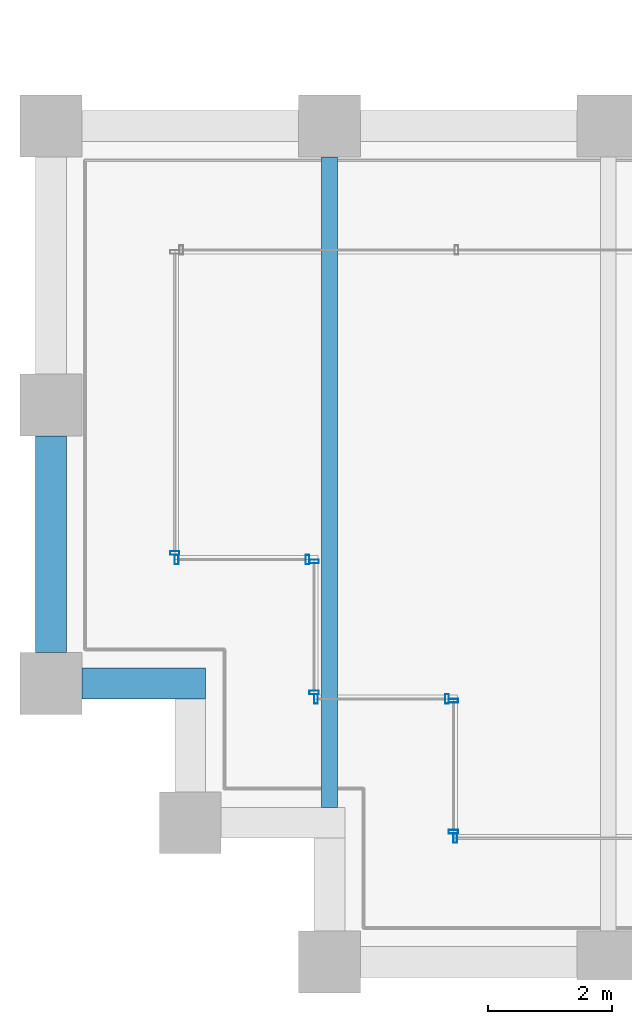
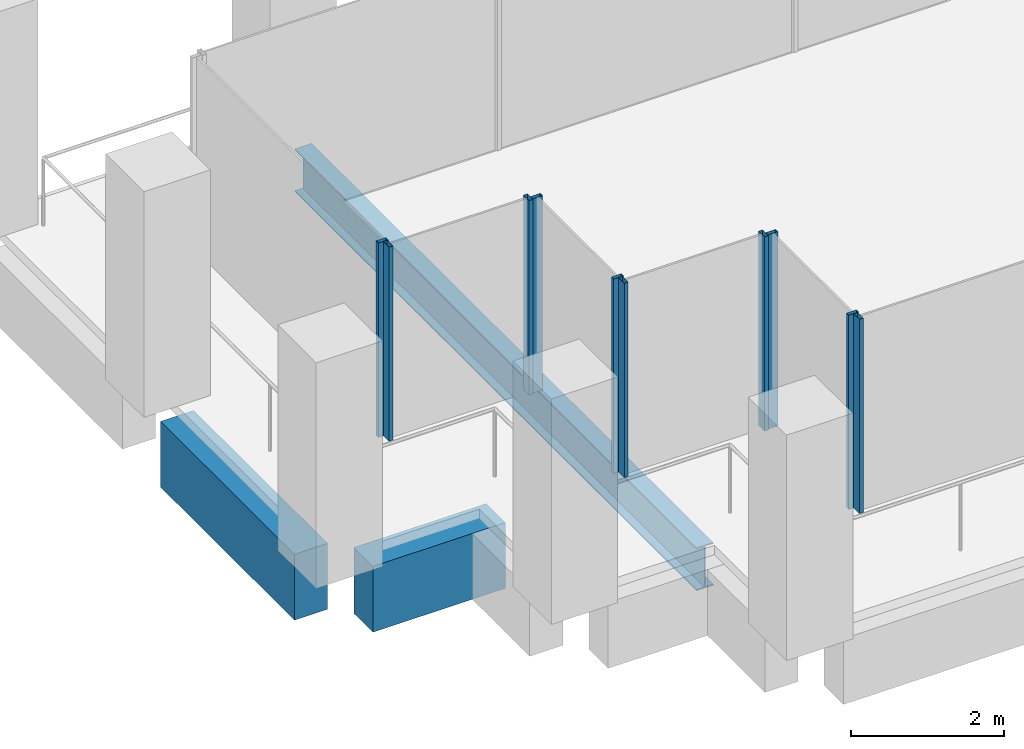
# One storey, part 2 of 46: 10 members, 3 beams, 6 elements without a shape of their own.
"""IFC4 building model written with IfcOpenShell, lengths in metres."""

import ifcopenshell
import ifcopenshell.guid

model = None  # the IFC model being written
_history = None  # IfcOwnerHistory: only IFC2X3 demands one
_inside = {}  # id of a spatial element -> (the spatial element, [elements in it])
_under = {}  # id of a project, library or spatial element -> (it, [spatial elements below it])
_declared = {}  # id of a project -> (the project, [libraries it declares])
_typed = {}  # id of a type object -> (the type object, [elements of that type])
_made_of = {}  # id of a material, layer set ... -> (it, [elements and type objects made of it])


def new_model(schema):
    """Start an empty IFC model of exactly this schema.

    Asked for "IFC4X3", IfcOpenShell would pick the latest addendum, in which some entities
    have other attributes; the version numbers below select the first issue.
    IFC2X3 requires an IfcOwnerHistory on every rooted entity: one is made here for all.
    """
    global model, _history
    if schema == "IFC4X3":
        model = ifcopenshell.file(schema_version=(4, 3, 0, 0))
    else:
        model = ifcopenshell.file(schema=schema)
    _inside.clear()
    _under.clear()
    _declared.clear()
    _typed.clear()
    _made_of.clear()
    _history = None
    if model.schema == "IFC2X3":
        org = make("IfcOrganization", Name="unknown")
        user = make(
            "IfcPersonAndOrganization",
            ThePerson=make("IfcPerson", FamilyName="unknown"),
            TheOrganization=org,
        )
        app = make(
            "IfcApplication",
            ApplicationDeveloper=org,
            Version="unknown",
            ApplicationFullName="unknown",
            ApplicationIdentifier="unknown",
        )
        _history = make(
            "IfcOwnerHistory",
            OwningUser=user,
            OwningApplication=app,
            ChangeAction="ADDED",
            CreationDate=0,
        )
    return model


def make(cls, **values):
    """One entity of the class cls with the attributes given. An attribute that is None is left unset."""
    return model.create_entity(
        cls, **{name: value for name, value in values.items() if value is not None}
    )


def rooted(cls, **values):
    """An entity with a GlobalId (a new one), such as an element, a storey or a relation."""
    return make(cls, GlobalId=ifcopenshell.guid.new(), OwnerHistory=_history, **values)


def si_unit(unit_type, name, prefix=None):
    """IfcSIUnit, for example si_unit("LENGTHUNIT", "METRE", prefix="MILLI")."""
    return make("IfcSIUnit", UnitType=unit_type, Prefix=prefix, Name=name)


def assignment(units):
    """IfcUnitAssignment: the units of a project."""
    return None if units is None else make("IfcUnitAssignment", Units=units)


def point(xyz):
    """IfcCartesianPoint."""
    return None if xyz is None else make("IfcCartesianPoint", Coordinates=xyz)


def direction(xyz):
    """IfcDirection."""
    return None if xyz is None else make("IfcDirection", DirectionRatios=xyz)


def frame(location, z_axis=None, x_axis=None):
    """IfcAxis2Placement3D, a coordinate frame: its origin and axes. An axis left out is left unset."""
    return make(
        "IfcAxis2Placement3D",
        Location=point(location),
        Axis=direction(z_axis),
        RefDirection=direction(x_axis),
    )


def frame_2d(location, x_axis=None):
    """IfcAxis2Placement2D, a coordinate frame in the plane: its origin and x axis."""
    return make(
        "IfcAxis2Placement2D", Location=point(location), RefDirection=direction(x_axis)
    )


def origin():
    """The frame at (0, 0, 0) with its axes left unset."""
    return frame((0.0, 0.0, 0.0))


def origin_2d():
    """The frame at (0, 0) in the plane with its x axis left unset."""
    return frame_2d((0.0, 0.0))


def place(relative_to, where):
    """IfcLocalPlacement: puts the frame where relative to a parent placement (None: the world)."""
    return make(
        "IfcLocalPlacement", PlacementRelTo=relative_to, RelativePlacement=where
    )


def context(
    kind, dimensions, precision=None, world=None, true_north=None, identifier=None
):
    """IfcGeometricRepresentationContext, for example the 3D "Model" context."""
    return make(
        "IfcGeometricRepresentationContext",
        ContextIdentifier=identifier,
        ContextType=kind,
        CoordinateSpaceDimension=dimensions,
        Precision=precision,
        WorldCoordinateSystem=world,
        TrueNorth=true_north,
    )


def subcontext(parent, identifier, kind, view, scale=None):
    """IfcGeometricRepresentationSubContext, for example "Body" below "Model"."""
    return make(
        "IfcGeometricRepresentationSubContext",
        ContextIdentifier=identifier,
        ContextType=kind,
        ParentContext=parent,
        TargetScale=scale,
        TargetView=view,
    )


def project(units=None, contexts=None):
    """IfcProject with its units and contexts."""
    return rooted(
        "IfcProject",
        Name="project",
        RepresentationContexts=contexts,
        UnitsInContext=assignment(units),
    )


def spatial(cls, under=None, at=None, **own):
    """A site, building, storey or space (cls), placed at a placement, below another one or the project."""
    s = rooted(cls, ObjectPlacement=at, **own)
    if under is not None:
        _under.setdefault(under.id(), (under, []))[1].append(s)
    return s


def profile(cls, at=None, kind="AREA", **sizes):
    """A parametric profile (cls). Its sizes go by their IFC names, for example OverallWidth=200.0."""
    return make(cls, ProfileType=kind, Position=at, **sizes)


def rectangle(**sizes):
    """IfcRectangleProfileDef."""
    return profile("IfcRectangleProfileDef", **sizes)


def hollow_rectangle(**sizes):
    """IfcRectangleHollowProfileDef."""
    return profile("IfcRectangleHollowProfileDef", **sizes)


def i_section(**sizes):
    """IfcIShapeProfileDef."""
    return profile("IfcIShapeProfileDef", **sizes)


def extrude(swept, where, along, depth):
    """IfcExtrudedAreaSolid: the profile swept, set in the frame where, extruded along a direction by depth."""
    return make(
        "IfcExtrudedAreaSolid",
        SweptArea=swept,
        Position=where,
        ExtrudedDirection=direction(along),
        Depth=depth,
    )


def shape(context_of_items, identifier, shape_type, items):
    """IfcShapeRepresentation: the items that make up one representation, for example the "Body"."""
    return make(
        "IfcShapeRepresentation",
        ContextOfItems=context_of_items,
        RepresentationIdentifier=identifier,
        RepresentationType=shape_type,
        Items=items,
    )


def material(Name=None, Category=None):
    """IfcMaterial."""
    return make("IfcMaterial", Name=Name, Category=Category)


def material_profile(
    of_material, cross_section, Name=None, Category=None, Priority=None
):
    """IfcMaterialProfile: a cross section and its material."""
    return make(
        "IfcMaterialProfile",
        Name=Name,
        Material=of_material,
        Profile=cross_section,
        Priority=Priority,
        Category=Category,
    )


def profile_set(profiles, Name=None, composite=None):
    """IfcMaterialProfileSet."""
    return make(
        "IfcMaterialProfileSet",
        Name=Name,
        MaterialProfiles=profiles,
        CompositeProfile=composite,
    )


def made_of(thing, what):
    """Note that an element or type object is made of a material, layer set ...; save() writes the relation."""
    if what is not None:
        _made_of.setdefault(what.id(), (what, []))[1].append(thing)
    return thing


def type_object(cls, material=None, **own):
    """A type object (cls), such as IfcWallType, which elements share."""
    return made_of(rooted(cls, **own), material)


def element(
    cls,
    number,
    at=None,
    inside=None,
    cuts=None,
    type_object=None,
    material=None,
    context=None,
    identifier="Body",
    shape_type=None,
    held_by="IfcProductDefinitionShape",
    body=None,
    shapes=None,
    **own,
):
    """One element of the class cls, such as IfcWall. Its Tag is "e" and its number.

    at: its placement. inside: the storey or other place that contains it. cuts: it is an
    opening in that element (IfcRelVoidsElement). A single representation is given by context,
    identifier, shape_type and body (its items); several are given by shapes. held_by: the class
    of the entity that holds the representations. save() writes the other relations.
    """
    e = rooted(cls, Tag="e%d" % number, ObjectPlacement=at, **own)
    if body is not None:
        shapes = [shape(context, identifier, shape_type, body)]
    if shapes is not None:
        e.Representation = make(held_by, Representations=shapes)
    if inside is not None:
        _inside.setdefault(inside.id(), (inside, []))[1].append(e)
    if cuts is not None:
        rooted(
            "IfcRelVoidsElement", RelatingBuildingElement=cuts, RelatedOpeningElement=e
        )
    if type_object is not None:
        _typed.setdefault(type_object.id(), (type_object, []))[1].append(e)
    return made_of(e, material)


def aggregate(whole, parts):
    """IfcRelAggregates: a whole, such as a stair, and the parts it consists of."""
    return rooted("IfcRelAggregates", RelatingObject=whole, RelatedObjects=parts)


def save(model, path):
    """Write the relations noted so far, then the file.

    IfcRelAggregates (storeys below a building ...), IfcRelContainedInSpatialStructure (elements
    in a storey), IfcRelDefinesByType, IfcRelAssociatesMaterial and IfcRelDeclares: one each for
    every whole, place, type object, material and project.
    """
    for whole, parts in _under.values():
        aggregate(whole, parts)
    for where, things in _inside.values():
        rooted(
            "IfcRelContainedInSpatialStructure",
            RelatedElements=things,
            RelatingStructure=where,
        )
    for kind, things in _typed.values():
        rooted("IfcRelDefinesByType", RelatedObjects=things, RelatingType=kind)
    for what, things in _made_of.values():
        rooted("IfcRelAssociatesMaterial", RelatedObjects=things, RelatingMaterial=what)
    for by, libraries in _declared.values():
        rooted("IfcRelDeclares", RelatingContext=by, RelatedDefinitions=libraries)
    model.write(path)


model = new_model("IFC4")

# Units and contexts
model_context = context("Model", 3, precision=1e-05, world=origin(), true_north=direction((0.0, 1.0)))
body_context = subcontext(model_context, "Body", "Model", "MODEL_VIEW")
ifc_project = project(units=[si_unit("LENGTHUNIT", "METRE"), si_unit("AREAUNIT", "SQUARE_METRE"), si_unit("VOLUMEUNIT", "CUBIC_METRE"), si_unit("PLANEANGLEUNIT", "RADIAN"), si_unit("MASSUNIT", "GRAM", prefix="KILO")], contexts=[model_context])

# Site, building, storey
site_placement = place(None, origin())
site = spatial("IfcSite", under=ifc_project, at=site_placement, CompositionType="ELEMENT")
building_placement = place(site_placement, origin())
building = spatial("IfcBuilding", under=site, at=building_placement, Name="Altepetl Exchange Towers", CompositionType="ELEMENT")
storey_placement = place(building_placement, frame((0.0, 0.0, 124.39990234375)))
storey = spatial("IfcBuildingStorey", under=building, at=storey_placement, Name="L30", CompositionType="ELEMENT", Elevation=124.39990234375)

# Beam
ifc_material_1 = material(Name="Steel S355", Category="steel")
ifc_material_profile_1 = material_profile(ifc_material_1, i_section(OverallWidth=0.25390625, OverallDepth=0.68408203125, WebThickness=0.012451171875, FlangeThickness=0.018798828125, at=origin_2d()), Name="W27X94")
ifc_profile_set_1 = profile_set([ifc_material_profile_1], Name="Steel S355")
beam_type_1 = type_object("IfcBeamType", Name="Floor beam W27X94", PredefinedType="BEAM", material=ifc_profile_set_1)
beam_1_placement = place(storey_placement, frame((31.5, 29.5, -0.491943359375), z_axis=(0.0, 1.0, 0.0), x_axis=(-1.0, 0.0, 0.0)))
element("IfcBeam", 1, at=beam_1_placement, inside=storey, type_object=beam_type_1, Name="bm:A:L30:012", PredefinedType="BEAM", context=body_context, shape_type="SweptSolid", body=[
    extrude(i_section(OverallWidth=0.25390625, OverallDepth=0.68408203125, WebThickness=0.012451171875, FlangeThickness=0.018798828125, at=origin_2d()), origin(), (0.0, 0.0, 1.0), 10.5),
])

# Curtain wall, member
ifc_material_2 = material(Name="Aluminium 6063-T6 glazing", Category="aluminium")
curtain_wall_type = type_object("IfcCurtainWallType", Name="Loggia glazing system", PredefinedType="NOTDEFINED", material=ifc_material_2)
curtain_wall_1_placement = place(storey_placement, origin())
curtain_wall_1 = element("IfcCurtainWall", 2, at=curtain_wall_1_placement, inside=storey, type_object=curtain_wall_type, Name="CW1 run", PredefinedType="NOTDEFINED")
ifc_material_3 = material(Name="Aluminium 6063-T6", Category="aluminium")
ifc_material_profile_2 = material_profile(ifc_material_3, hollow_rectangle(XDim=0.06005859375, YDim=0.14990234375, WallThickness=0.0029296875, at=origin_2d()), Name="Mullion 60x150 aluminium")
ifc_profile_set_2 = profile_set([ifc_material_profile_2], Name="Aluminium 6063-T6")
member_type = type_object("IfcMemberType", Name="Mullion 60x150 aluminium", PredefinedType="MULLION", material=ifc_profile_set_2)
member_1_placement = place(storey_placement, frame((29.0, 33.60498046875, 0.0), z_axis=(0.0, 0.0, 1.0), x_axis=(0.0, -1.0, 0.0)))
member_1 = element("IfcMember", 3, at=member_1_placement, type_object=member_type, Name="MU1 mullion", PredefinedType="MULLION", context=body_context, shape_type="SweptSolid", body=[
    extrude(hollow_rectangle(XDim=0.06005859375, YDim=0.14990234375, WallThickness=0.0029296875, at=origin_2d()), origin(), (0.0, 0.0, 1.0), 3.10009765625),
])
aggregate(curtain_wall_1, [member_1])

# Curtain wall, members
curtain_wall_2_placement = place(storey_placement, origin())
curtain_wall_2 = element("IfcCurtainWall", 4, at=curtain_wall_2_placement, inside=storey, type_object=curtain_wall_type, Name="CW1 run", PredefinedType="NOTDEFINED")
member_2_placement = place(storey_placement, frame((29.030029296875, 33.5, 0.0)))
member_2 = element("IfcMember", 5, at=member_2_placement, type_object=member_type, Name="MU1 mullion", PredefinedType="MULLION", context=body_context, shape_type="SweptSolid", body=[
    extrude(hollow_rectangle(XDim=0.06005859375, YDim=0.14990234375, WallThickness=0.0029296875, at=origin_2d()), origin(), (0.0, 0.0, 1.0), 3.10009765625),
])
member_3_placement = place(storey_placement, frame((31.14501953125, 33.5, 0.0)))
member_3 = element("IfcMember", 6, at=member_3_placement, type_object=member_type, Name="MU1 mullion", PredefinedType="MULLION", context=body_context, shape_type="SweptSolid", body=[
    extrude(hollow_rectangle(XDim=0.06005859375, YDim=0.14990234375, WallThickness=0.0029296875, at=origin_2d()), origin(), (0.0, 0.0, 1.0), 3.10009765625),
])
aggregate(curtain_wall_2, [member_2, member_3])

curtain_wall_3_placement = place(storey_placement, origin())
curtain_wall_3 = element("IfcCurtainWall", 7, at=curtain_wall_3_placement, inside=storey, type_object=curtain_wall_type, Name="CW1 run", PredefinedType="NOTDEFINED")
member_4_placement = place(storey_placement, frame((31.25, 33.469970703125, 0.0), z_axis=(0.0, 0.0, 1.0), x_axis=(0.0, -1.0, 0.0)))
member_4 = element("IfcMember", 8, at=member_4_placement, type_object=member_type, Name="MU1 mullion", PredefinedType="MULLION", context=body_context, shape_type="SweptSolid", body=[
    extrude(hollow_rectangle(XDim=0.06005859375, YDim=0.14990234375, WallThickness=0.0029296875, at=origin_2d()), origin(), (0.0, 0.0, 1.0), 3.10009765625),
])
member_5_placement = place(storey_placement, frame((31.25, 31.35498046875, 0.0), z_axis=(0.0, 0.0, 1.0), x_axis=(0.0, -1.0, 0.0)))
member_5 = element("IfcMember", 9, at=member_5_placement, type_object=member_type, Name="MU1 mullion", PredefinedType="MULLION", context=body_context, shape_type="SweptSolid", body=[
    extrude(hollow_rectangle(XDim=0.06005859375, YDim=0.14990234375, WallThickness=0.0029296875, at=origin_2d()), origin(), (0.0, 0.0, 1.0), 3.10009765625),
])
aggregate(curtain_wall_3, [member_4, member_5])

curtain_wall_4_placement = place(storey_placement, origin())
curtain_wall_4 = element("IfcCurtainWall", 10, at=curtain_wall_4_placement, inside=storey, type_object=curtain_wall_type, Name="CW1 run", PredefinedType="NOTDEFINED")
member_6_placement = place(storey_placement, frame((31.280029296875, 31.25, 0.0)))
member_6 = element("IfcMember", 11, at=member_6_placement, type_object=member_type, Name="MU1 mullion", PredefinedType="MULLION", context=body_context, shape_type="SweptSolid", body=[
    extrude(hollow_rectangle(XDim=0.06005859375, YDim=0.14990234375, WallThickness=0.0029296875, at=origin_2d()), origin(), (0.0, 0.0, 1.0), 3.10009765625),
])
member_7_placement = place(storey_placement, frame((33.39501953125, 31.25, 0.0)))
member_7 = element("IfcMember", 12, at=member_7_placement, type_object=member_type, Name="MU1 mullion", PredefinedType="MULLION", context=body_context, shape_type="SweptSolid", body=[
    extrude(hollow_rectangle(XDim=0.06005859375, YDim=0.14990234375, WallThickness=0.0029296875, at=origin_2d()), origin(), (0.0, 0.0, 1.0), 3.10009765625),
])
aggregate(curtain_wall_4, [member_6, member_7])

curtain_wall_5_placement = place(storey_placement, origin())
curtain_wall_5 = element("IfcCurtainWall", 13, at=curtain_wall_5_placement, inside=storey, type_object=curtain_wall_type, Name="CW1 run", PredefinedType="NOTDEFINED")
member_8_placement = place(storey_placement, frame((33.5, 31.219970703125, 0.0), z_axis=(0.0, 0.0, 1.0), x_axis=(0.0, -1.0, 0.0)))
member_8 = element("IfcMember", 14, at=member_8_placement, type_object=member_type, Name="MU1 mullion", PredefinedType="MULLION", context=body_context, shape_type="SweptSolid", body=[
    extrude(hollow_rectangle(XDim=0.06005859375, YDim=0.14990234375, WallThickness=0.0029296875, at=origin_2d()), origin(), (0.0, 0.0, 1.0), 3.10009765625),
])
member_9_placement = place(storey_placement, frame((33.5, 29.10498046875, 0.0), z_axis=(0.0, 0.0, 1.0), x_axis=(0.0, -1.0, 0.0)))
member_9 = element("IfcMember", 15, at=member_9_placement, type_object=member_type, Name="MU1 mullion", PredefinedType="MULLION", context=body_context, shape_type="SweptSolid", body=[
    extrude(hollow_rectangle(XDim=0.06005859375, YDim=0.14990234375, WallThickness=0.0029296875, at=origin_2d()), origin(), (0.0, 0.0, 1.0), 3.10009765625),
])
aggregate(curtain_wall_5, [member_8, member_9])

# Curtain wall, member
curtain_wall_6_placement = place(storey_placement, origin())
curtain_wall_6 = element("IfcCurtainWall", 16, at=curtain_wall_6_placement, inside=storey, type_object=curtain_wall_type, Name="CW1 run", PredefinedType="NOTDEFINED")
member_10_placement = place(storey_placement, frame((33.530029296875, 29.0, 0.0)))
member_10 = element("IfcMember", 17, at=member_10_placement, type_object=member_type, Name="MU1 mullion", PredefinedType="MULLION", context=body_context, shape_type="SweptSolid", body=[
    extrude(hollow_rectangle(XDim=0.06005859375, YDim=0.14990234375, WallThickness=0.0029296875, at=origin_2d()), origin(), (0.0, 0.0, 1.0), 3.10009765625),
])
aggregate(curtain_wall_6, [member_10])

# Beams
ifc_material_4 = material(Name="Concrete C50/60 precast with cantera blanca facing", Category="concrete")
ifc_material_profile_3 = material_profile(ifc_material_4, rectangle(XDim=0.5, YDim=1.050048828125, at=origin_2d()), Name="500 x 1050")
ifc_profile_set_3 = profile_set([ifc_material_profile_3], Name="Concrete C50/60 precast with cantera blanca facing")
beam_type_2 = type_object("IfcBeamType", Name="Spandrel beam 500x1050 cantera blanca", PredefinedType="SPANDREL", material=ifc_profile_set_3)
beam_2_placement = place(storey_placement, frame((27.0, 35.5, -0.6748046875), z_axis=(0.0, -1.0, 0.0), x_axis=(1.0, 0.0, 0.0)))
element("IfcBeam", 18, at=beam_2_placement, inside=storey, type_object=beam_type_2, Name="sp:A:L30:037", PredefinedType="SPANDREL", context=body_context, shape_type="SweptSolid", body=[
    extrude(rectangle(XDim=0.5, YDim=1.050048828125, at=origin_2d()), origin(), (0.0, 0.0, 1.0), 3.5),
])
beam_3_placement = place(storey_placement, frame((27.5, 31.5, -0.6748046875), z_axis=(1.0, 0.0, 0.0), x_axis=(0.0, 1.0, 0.0)))
element("IfcBeam", 19, at=beam_3_placement, inside=storey, type_object=beam_type_2, Name="sp:A:L30:038", PredefinedType="SPANDREL", context=body_context, shape_type="SweptSolid", body=[
    extrude(rectangle(XDim=0.5, YDim=1.050048828125, at=origin_2d()), origin(), (0.0, 0.0, 1.0), 2.0),
])

save(model, "model.ifc")
